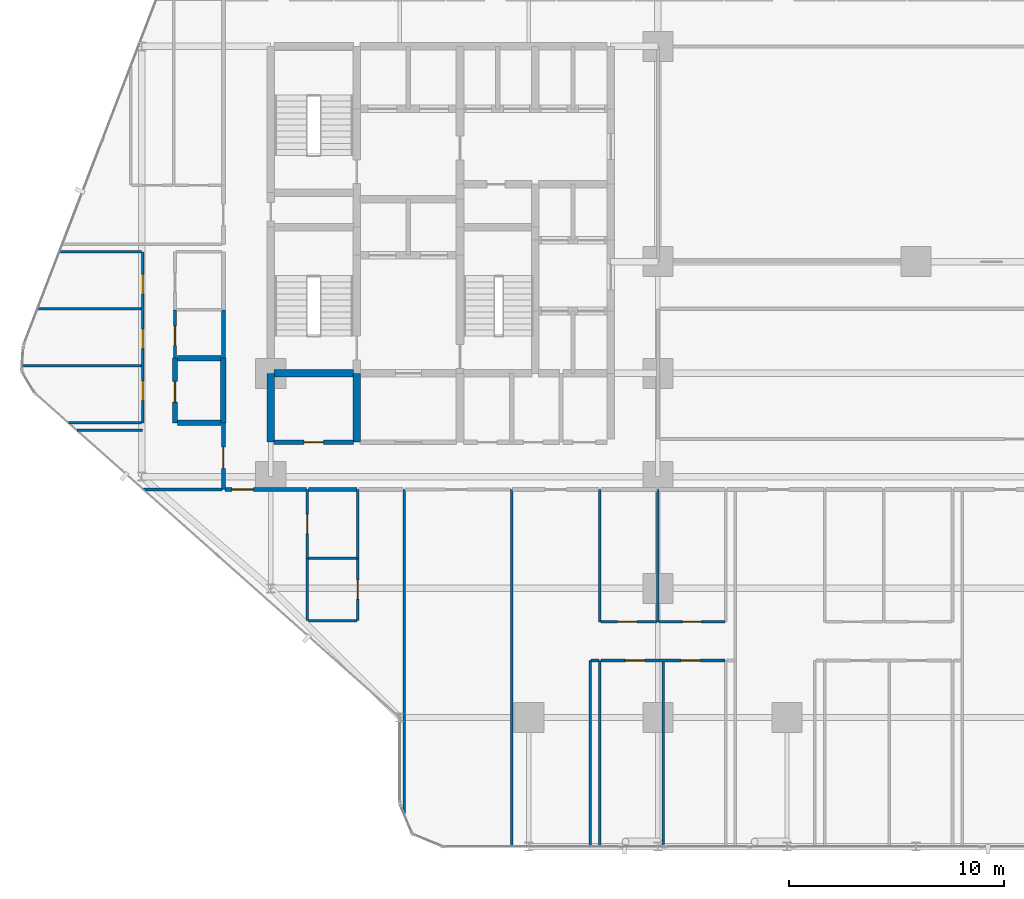
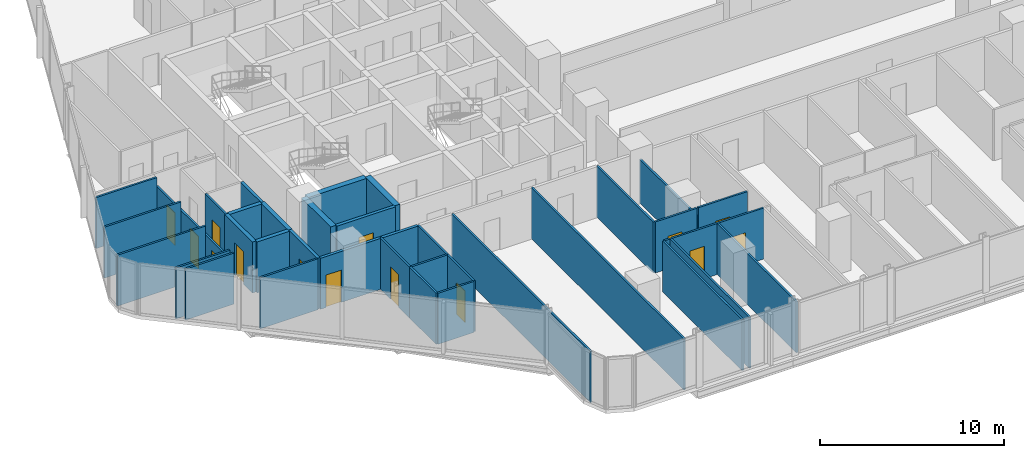
# One storey, part 26 of 34: 37 walls, 14 doors, 14 openings.
"""IFC4 building model written with IfcOpenShell, lengths in metres."""

from ifc_helpers import new_model, si_unit, direction, frame, frame_2d, origin, place, context, subcontext, project, spatial, rectangle, extrude, material, layer, layer_set, type_object, element, fill, save


model = new_model("IFC4")

# Units and contexts
model_context = context("Model", 3, precision=1e-05, world=origin(), true_north=direction((0.0, 1.0)))
body_context = subcontext(model_context, "Body", "Model", "MODEL_VIEW")
ifc_project = project(units=[si_unit("LENGTHUNIT", "METRE"), si_unit("AREAUNIT", "SQUARE_METRE"), si_unit("VOLUMEUNIT", "CUBIC_METRE"), si_unit("PLANEANGLEUNIT", "RADIAN"), si_unit("MASSUNIT", "GRAM", prefix="KILO")], contexts=[model_context])

# Site, building, storey
site_placement = place(None, origin())
site = spatial("IfcSite", under=ifc_project, at=site_placement, CompositionType="ELEMENT")
building_placement = place(site_placement, origin())
building = spatial("IfcBuilding", under=site, at=building_placement, Name="Keshet Zoharim Tower", CompositionType="ELEMENT")
storey_placement = place(building_placement, frame((0.0, 0.0, 38.800048828125)))
storey = spatial("IfcBuildingStorey", under=building, at=storey_placement, Name="L08", CompositionType="ELEMENT", Elevation=38.800048828125)

# Walls
ifc_material_1 = material(Name="Concrete C60/75", Category="concrete")
ifc_layer_1 = layer(ifc_material_1, 0.35009765625)
ifc_layer_set_1 = layer_set([ifc_layer_1], Name="Concrete C60/75")
wall_type_1 = type_object("IfcWallType", Name="WL-CORE-350", PredefinedType="SHEAR", material=ifc_layer_set_1)
for number, where, z_axis, x_axis, name in (
    (1, (15.0, 19.5, 0.0), (0.0, 0.0, 1.0), (0.0, 1.0, 0.0), "L08 Core Shear Wall 013"),
    (2, (19.0, 19.5, 0.0), (0.0, 0.0, 1.0), (0.0, 1.0, 0.0), "L08 Core Shear Wall 021"),
):
    element("IfcWall", number, at=place(storey_placement, frame(where, z_axis=z_axis, x_axis=x_axis)), inside=storey, type_object=wall_type_1, Name=name, PredefinedType="SHEAR", context=body_context, shape_type="SweptSolid", body=[
        extrude(rectangle(XDim=3.199951171875, YDim=0.35009765625, at=frame_2d((1.60009765625, 0.0))), origin(), (0.0, 0.0, 1.0), 3.385009765625),
    ])
wall_1_placement = place(storey_placement, frame((15.159912109375, 22.699951171875, 0.0), z_axis=(0.0, 0.0, 1.0), x_axis=(1.0, 0.0, 0.0)))
element("IfcWall", 3, at=wall_1_placement, inside=storey, type_object=wall_type_1, Name="L08 Core Shear Wall 167", PredefinedType="SHEAR", context=body_context, shape_type="SweptSolid", body=[
    extrude(rectangle(XDim=3.68017578125, YDim=0.35009765625, at=frame_2d((1.840087890625, 0.0))), origin(), (0.0, 0.0, 1.0), 3.385009765625),
])

# Wall, opening, door
ifc_material_2 = material(Name="Gypsum Plasterboard", Category="gypsum")
ifc_layer_2 = layer(ifc_material_2, 0.179931640625)
ifc_layer_set_2 = layer_set([ifc_layer_2], Name="Gypsum Plasterboard")
wall_type_2 = type_object("IfcWallType", Name="WL-CORR-180", PredefinedType="STANDARD", material=ifc_layer_set_2)
wall_2_placement = place(storey_placement, frame((12.800048828125, 17.300048828125, 0.0), z_axis=(0.0, 0.0, 1.0), x_axis=(0.0, 1.0, 0.0)))
wall_2 = element("IfcWall", 4, at=wall_2_placement, inside=storey, type_object=wall_type_2, Name="L08 Interior Wall 007", PredefinedType="STANDARD", context=body_context, shape_type="SweptSolid", body=[
    extrude(rectangle(XDim=3.099853515625, YDim=0.179931640625, at=frame_2d((1.5498046875, 0.0))), origin(), (0.0, 0.0, 1.0), 3.385009765625),
])
opening_1_placement = place(wall_2_placement, frame((0.97802734375, 0.0, 0.0)))
opening_1 = element("IfcOpeningElement", 5, at=opening_1_placement, cuts=wall_2, Name="Opening D-F310", PredefinedType="OPENING", context=body_context, shape_type="SweptSolid", body=[
    extrude(rectangle(XDim=1.0, YDim=2.14990234375, at=frame_2d((0.5, 1.074951171875))), frame((0.0, 0.10009765625, 0.0), z_axis=(0.0, -1.0, 0.0), x_axis=(1.0, 0.0, 0.0)), (0.0, 0.0, 1.0), 0.199951171875),
])
ifc_material_3 = material(Name="Hardwood Timber", Category="wood")
door_type_1 = type_object("IfcDoorType", Name="DR-FD30-100", OperationType="NOTDEFINED", PredefinedType="DOOR", material=ifc_material_3)
door_1_placement = place(opening_1_placement, origin())
door_1 = element("IfcDoor", 6, at=door_1_placement, inside=storey, type_object=door_type_1, Name="Apartment 0810 Entrance Door", OperationType="SINGLE_SWING_RIGHT", OverallHeight=2.14990234375, OverallWidth=1.0, PredefinedType="DOOR", context=body_context, shape_type="SweptSolid", body=[
    extrude(rectangle(XDim=1.0, YDim=2.14990234375, at=frame_2d((0.5, 1.074951171875))), frame((0.0, 0.02490234375, 0.0), z_axis=(0.0, -1.0, 0.0), x_axis=(1.0, 0.0, 0.0)), (0.0, 0.0, 1.0), 0.050048828125),
])
fill(opening_1, door_1)

# Wall
wall_3_placement = place(storey_placement, frame((12.800048828125, 23.4208984375, 0.0), z_axis=(0.0, 0.0, 1.0), x_axis=(0.0, 1.0, 0.0)))
element("IfcWall", 7, at=wall_3_placement, inside=storey, type_object=wall_type_2, Name="L08 Interior Wall 009", PredefinedType="STANDARD", context=body_context, shape_type="SweptSolid", body=[
    extrude(rectangle(XDim=2.22607421875, YDim=0.179931640625, at=frame_2d((1.113037109375, 0.0))), origin(), (0.0, 0.0, 1.0), 3.385009765625),
])

# Wall, opening, door
wall_4_placement = place(storey_placement, frame((12.875, 17.300048828125, 0.0), z_axis=(0.0, 0.0, 1.0), x_axis=(1.0, 0.0, 0.0)))
wall_4 = element("IfcWall", 8, at=wall_4_placement, inside=storey, type_object=wall_type_2, Name="L08 Interior Wall 141", PredefinedType="STANDARD", context=body_context, shape_type="SweptSolid", body=[
    extrude(rectangle(XDim=3.780029296875, YDim=0.179931640625, at=frame_2d((1.89013671875, 0.0))), origin(), (0.0, 0.0, 1.0), 3.385009765625),
])
opening_2_placement = place(wall_4_placement, frame((0.31689453125, 0.0, 0.0)))
opening_2 = element("IfcOpeningElement", 9, at=opening_2_placement, cuts=wall_4, Name="Opening D-F310", PredefinedType="OPENING", context=body_context, shape_type="SweptSolid", body=[
    extrude(rectangle(XDim=1.0, YDim=2.14990234375, at=frame_2d((0.5, 1.074951171875))), frame((0.0, 0.10009765625, 0.0), z_axis=(0.0, -1.0, 0.0), x_axis=(1.0, 0.0, 0.0)), (0.0, 0.0, 1.0), 0.199951171875),
])
door_2_placement = place(opening_2_placement, origin())
door_2 = element("IfcDoor", 10, at=door_2_placement, inside=storey, type_object=door_type_1, Name="Apartment 0801 Entrance Door", OperationType="SINGLE_SWING_LEFT", OverallHeight=2.14990234375, OverallWidth=1.0, PredefinedType="DOOR", context=body_context, shape_type="SweptSolid", body=[
    extrude(rectangle(XDim=1.0, YDim=2.14990234375, at=frame_2d((0.5, 1.074951171875))), frame((0.0, 0.02490234375, 0.0), z_axis=(0.0, -1.0, 0.0), x_axis=(1.0, 0.0, 0.0)), (0.0, 0.0, 1.0), 0.050048828125),
])
fill(opening_2, door_2)

# Wall
wall_5_placement = place(storey_placement, frame((16.7451171875, 17.300048828125, 0.0), z_axis=(0.0, 0.0, 1.0), x_axis=(1.0, 0.0, 0.0)))
element("IfcWall", 11, at=wall_5_placement, inside=storey, type_object=wall_type_2, Name="L08 Interior Wall 142", PredefinedType="STANDARD", context=body_context, shape_type="SweptSolid", body=[
    extrude(rectangle(XDim=2.259765625, YDim=0.179931640625, at=frame_2d((1.1298828125, 0.0))), origin(), (0.0, 0.0, 1.0), 3.385009765625),
])

# Wall, opening, door
ifc_material_4 = material(Name="Concrete C50/60", Category="concrete")
ifc_layer_3 = layer(ifc_material_4, 0.199951171875)
ifc_layer_set_3 = layer_set([ifc_layer_3], Name="Concrete C50/60")
wall_type_3 = type_object("IfcWallType", Name="WL-FIRE-200", PredefinedType="STANDARD", material=ifc_layer_set_3)
wall_6_placement = place(storey_placement, frame((15.159912109375, 19.5, 0.0), z_axis=(0.0, 0.0, 1.0), x_axis=(1.0, 0.0, 0.0)))
wall_6 = element("IfcWall", 12, at=wall_6_placement, inside=storey, type_object=wall_type_3, Name="L08 Interior Wall 159", PredefinedType="STANDARD", context=body_context, shape_type="SweptSolid", body=[
    extrude(rectangle(XDim=3.68017578125, YDim=0.199951171875, at=frame_2d((1.840087890625, 0.0))), origin(), (0.0, 0.0, 1.0), 3.385009765625),
])
opening_3_placement = place(wall_6_placement, frame((1.389892578125, 0.0, 0.0)))
opening_3 = element("IfcOpeningElement", 13, at=opening_3_placement, cuts=wall_6, Name="Opening D-F690", PredefinedType="OPENING", context=body_context, shape_type="SweptSolid", body=[
    extrude(rectangle(XDim=0.89990234375, YDim=2.14990234375, at=frame_2d((0.449951171875, 1.074951171875))), frame((0.0, 0.10986328125, 0.0), z_axis=(0.0, -1.0, 0.0), x_axis=(1.0, 0.0, 0.0)), (0.0, 0.0, 1.0), 0.219970703125),
])
door_type_2 = type_object("IfcDoorType", Name="DR-FD60-090", OperationType="NOTDEFINED", PredefinedType="DOOR", material=ifc_material_3)
door_3_placement = place(opening_3_placement, origin())
door_3 = element("IfcDoor", 14, at=door_3_placement, inside=storey, type_object=door_type_2, Name="L08 Pram Store Door", OperationType="SINGLE_SWING_LEFT", OverallHeight=2.14990234375, OverallWidth=0.89990234375, PredefinedType="DOOR", context=body_context, shape_type="SweptSolid", body=[
    extrude(rectangle(XDim=0.89990234375, YDim=2.14990234375, at=frame_2d((0.449951171875, 1.074951171875))), frame((0.0, 0.02490234375, 0.0), z_axis=(0.0, -1.0, 0.0), x_axis=(1.0, 0.0, 0.0)), (0.0, 0.0, 1.0), 0.050048828125),
])
fill(opening_3, door_3)

ifc_layer_4 = layer(ifc_material_4, 0.25)
ifc_layer_set_4 = layer_set([ifc_layer_4], Name="Concrete C50/60")
wall_type_4 = type_object("IfcWallType", Name="WL-MAMAD-250", PredefinedType="STANDARD", material=ifc_layer_set_4)
wall_7_placement = place(storey_placement, frame((10.550048828125, 20.39990234375, 0.0), z_axis=(0.0, 0.0, 1.0), x_axis=(0.0, 1.0, 0.0)))
wall_7 = element("IfcWall", 15, at=wall_7_placement, inside=storey, type_object=wall_type_4, Name="L08 Interior Wall 004", PredefinedType="STANDARD", context=body_context, shape_type="SweptSolid", body=[
    extrude(rectangle(XDim=3.02099609375, YDim=0.25, at=frame_2d((1.510498046875, 0.0))), origin(), (0.0, 0.0, 1.0), 3.385009765625),
])
opening_4_placement = place(wall_7_placement, frame((0.964111328125, 0.0, 0.0)))
opening_4 = element("IfcOpeningElement", 16, at=opening_4_placement, cuts=wall_7, Name="Opening D-F695", PredefinedType="OPENING", context=body_context, shape_type="SweptSolid", body=[
    extrude(rectangle(XDim=0.949951171875, YDim=2.14990234375, at=frame_2d((0.47509765625, 1.074951171875))), frame((0.0, 0.135009765625, 0.0), z_axis=(0.0, -1.0, 0.0), x_axis=(1.0, 0.0, 0.0)), (0.0, 0.0, 1.0), 0.27001953125),
])
door_type_3 = type_object("IfcDoorType", Name="DR-FD60-095", OperationType="NOTDEFINED", PredefinedType="DOOR", material=ifc_material_3)
door_4_placement = place(opening_4_placement, origin())
door_4 = element("IfcDoor", 17, at=door_4_placement, inside=storey, type_object=door_type_3, Name="Apartment 0810 Study and Shelter Room Door", OperationType="SINGLE_SWING_LEFT", OverallHeight=2.14990234375, OverallWidth=0.949951171875, PredefinedType="DOOR", context=body_context, shape_type="SweptSolid", body=[
    extrude(rectangle(XDim=0.949951171875, YDim=2.14990234375, at=frame_2d((0.47509765625, 1.074951171875))), frame((0.0, 0.02490234375, 0.0), z_axis=(0.0, -1.0, 0.0), x_axis=(1.0, 0.0, 0.0)), (0.0, 0.0, 1.0), 0.050048828125),
])
fill(opening_4, door_4)

# Walls
wall_8_placement = place(storey_placement, frame((12.800048828125, 20.39990234375, 0.0), z_axis=(0.0, 0.0, 1.0), x_axis=(0.0, 1.0, 0.0)))
element("IfcWall", 18, at=wall_8_placement, inside=storey, type_object=wall_type_4, Name="L08 Interior Wall 008", PredefinedType="STANDARD", context=body_context, shape_type="SweptSolid", body=[
    extrude(rectangle(XDim=3.02099609375, YDim=0.25, at=frame_2d((1.510498046875, 0.0))), origin(), (0.0, 0.0, 1.0), 3.385009765625),
])
for number, where, z_axis, x_axis, name in (
    (19, (10.659912109375, 20.39990234375, 0.0), (0.0, 0.0, 1.0), (1.0, 0.0, 0.0), "L08 Interior Wall 166"),
    (20, (10.659912109375, 23.39990234375, 0.0), (0.0, 0.0, 1.0), (1.0, 0.0, 0.0), "L08 Interior Wall 173"),
):
    element("IfcWall", number, at=place(storey_placement, frame(where, z_axis=z_axis, x_axis=x_axis)), inside=storey, type_object=wall_type_4, Name=name, PredefinedType="STANDARD", context=body_context, shape_type="SweptSolid", body=[
        extrude(rectangle(XDim=2.030029296875, YDim=0.25, at=frame_2d((1.01513671875, 0.0))), origin(), (0.0, 0.0, 1.0), 3.385009765625),
    ])

# Wall, openings, doors
ifc_layer_5 = layer(ifc_material_2, 0.1201171875)
ifc_layer_set_5 = layer_set([ifc_layer_5], Name="Gypsum Plasterboard")
wall_type_5 = type_object("IfcWallType", Name="WL-PART-120", PredefinedType="PARTITIONING", material=ifc_layer_set_5)
wall_9_placement = place(storey_placement, frame((9.050048828125, 20.39990234375, 0.0), z_axis=(0.0, 0.0, 1.0), x_axis=(0.0, 1.0, 0.0)))
wall_9 = element("IfcWall", 21, at=wall_9_placement, inside=storey, type_object=wall_type_5, Name="L08 Interior Wall 002", PredefinedType="PARTITIONING", context=body_context, shape_type="SweptSolid", body=[
    extrude(rectangle(XDim=7.9501953125, YDim=0.1201171875, at=frame_2d((3.97509765625, 0.0))), origin(), (0.0, 0.0, 1.0), 2.784912109375),
])
opening_5_placement = place(wall_9_placement, frame((1.050048828125, 0.0, 0.0)))
opening_5 = element("IfcOpeningElement", 22, at=opening_5_placement, cuts=wall_9, Name="Opening D-IN90", PredefinedType="OPENING", context=body_context, shape_type="SweptSolid", body=[
    extrude(rectangle(XDim=0.89990234375, YDim=2.14990234375, at=frame_2d((0.449951171875, 1.074951171875))), frame((0.0, 0.070068359375, 0.0), z_axis=(0.0, -1.0, 0.0), x_axis=(1.0, 0.0, 0.0)), (0.0, 0.0, 1.0), 0.14013671875),
])
opening_6_placement = place(wall_9_placement, frame((3.455078125, 0.0, 0.0)))
opening_6 = element("IfcOpeningElement", 23, at=opening_6_placement, cuts=wall_9, Name="Opening D-IN90", PredefinedType="OPENING", context=body_context, shape_type="SweptSolid", body=[
    extrude(rectangle(XDim=0.89990234375, YDim=2.14990234375, at=frame_2d((0.449951171875, 1.074951171875))), frame((0.0, 0.070068359375, 0.0), z_axis=(0.0, -1.0, 0.0), x_axis=(1.0, 0.0, 0.0)), (0.0, 0.0, 1.0), 0.14013671875),
])
opening_7_placement = place(wall_9_placement, frame((6.0, 0.0, 0.0)))
opening_7 = element("IfcOpeningElement", 24, at=opening_7_placement, cuts=wall_9, Name="Opening D-IN90", PredefinedType="OPENING", context=body_context, shape_type="SweptSolid", body=[
    extrude(rectangle(XDim=0.89990234375, YDim=2.14990234375, at=frame_2d((0.449951171875, 1.074951171875))), frame((0.0, 0.070068359375, 0.0), z_axis=(0.0, -1.0, 0.0), x_axis=(1.0, 0.0, 0.0)), (0.0, 0.0, 1.0), 0.14013671875),
])
door_type_4 = type_object("IfcDoorType", Name="DR-INT-090", OperationType="NOTDEFINED", PredefinedType="DOOR", material=ifc_material_3)
door_5_placement = place(opening_5_placement, origin())
door_5 = element("IfcDoor", 25, at=door_5_placement, inside=storey, type_object=door_type_4, Name="Apartment 0810 Bedroom 1 Door", OperationType="SINGLE_SWING_RIGHT", OverallHeight=2.14990234375, OverallWidth=0.89990234375, PredefinedType="DOOR", context=body_context, shape_type="SweptSolid", body=[
    extrude(rectangle(XDim=0.89990234375, YDim=2.14990234375, at=frame_2d((0.449951171875, 1.074951171875))), frame((0.0, 0.02490234375, 0.0), z_axis=(0.0, -1.0, 0.0), x_axis=(1.0, 0.0, 0.0)), (0.0, 0.0, 1.0), 0.050048828125),
])
fill(opening_5, door_5)
door_6_placement = place(opening_6_placement, origin())
door_6 = element("IfcDoor", 26, at=door_6_placement, inside=storey, type_object=door_type_4, Name="Apartment 0810 Bedroom 2 Door", OperationType="SINGLE_SWING_LEFT", OverallHeight=2.14990234375, OverallWidth=0.89990234375, PredefinedType="DOOR", context=body_context, shape_type="SweptSolid", body=[
    extrude(rectangle(XDim=0.89990234375, YDim=2.14990234375, at=frame_2d((0.449951171875, 1.074951171875))), frame((0.0, 0.02490234375, 0.0), z_axis=(0.0, -1.0, 0.0), x_axis=(1.0, 0.0, 0.0)), (0.0, 0.0, 1.0), 0.050048828125),
])
fill(opening_6, door_6)
door_7_placement = place(opening_7_placement, origin())
door_7 = element("IfcDoor", 27, at=door_7_placement, inside=storey, type_object=door_type_4, Name="Apartment 0810 Bedroom 3 Door", OperationType="SINGLE_SWING_RIGHT", OverallHeight=2.14990234375, OverallWidth=0.89990234375, PredefinedType="DOOR", context=body_context, shape_type="SweptSolid", body=[
    extrude(rectangle(XDim=0.89990234375, YDim=2.14990234375, at=frame_2d((0.449951171875, 1.074951171875))), frame((0.0, 0.02490234375, 0.0), z_axis=(0.0, -1.0, 0.0), x_axis=(1.0, 0.0, 0.0)), (0.0, 0.0, 1.0), 0.050048828125),
])
fill(opening_7, door_7)

# Wall, opening, door
wall_10_placement = place(storey_placement, frame((16.699951171875, 14.10009765625, 0.0), z_axis=(0.0, 0.0, 1.0), x_axis=(0.0, 1.0, 0.0)))
wall_10 = element("IfcWall", 28, at=wall_10_placement, inside=storey, type_object=wall_type_5, Name="L08 Interior Wall 018", PredefinedType="PARTITIONING", context=body_context, shape_type="SweptSolid", body=[
    extrude(rectangle(XDim=3.199951171875, YDim=0.1201171875, at=frame_2d((1.60009765625, 0.0))), origin(), (0.0, 0.0, 1.0), 3.385009765625),
])
opening_8_placement = place(wall_10_placement, frame((1.14990234375, 0.0, 0.0)))
opening_8 = element("IfcOpeningElement", 29, at=opening_8_placement, cuts=wall_10, Name="Opening D-IN90", PredefinedType="OPENING", context=body_context, shape_type="SweptSolid", body=[
    extrude(rectangle(XDim=0.89990234375, YDim=2.14990234375, at=frame_2d((0.449951171875, 1.074951171875))), frame((0.0, 0.070068359375, 0.0), z_axis=(0.0, -1.0, 0.0), x_axis=(1.0, 0.0, 0.0)), (0.0, 0.0, 1.0), 0.14013671875),
])
door_8_placement = place(opening_8_placement, origin())
door_8 = element("IfcDoor", 30, at=door_8_placement, inside=storey, type_object=door_type_4, Name="Apartment 0801 Kitchenette Door", OperationType="SINGLE_SWING_LEFT", OverallHeight=2.14990234375, OverallWidth=0.89990234375, PredefinedType="DOOR", context=body_context, shape_type="SweptSolid", body=[
    extrude(rectangle(XDim=0.89990234375, YDim=2.14990234375, at=frame_2d((0.449951171875, 1.074951171875))), frame((0.0, 0.02490234375, 0.0), z_axis=(0.0, -1.0, 0.0), x_axis=(1.0, 0.0, 0.0)), (0.0, 0.0, 1.0), 0.050048828125),
])
fill(opening_8, door_8)

# Walls
wall_11_placement = place(storey_placement, frame((19.050048828125, 14.10009765625, 0.0), z_axis=(0.0, 0.0, 1.0), x_axis=(0.0, 1.0, 0.0)))
element("IfcWall", 31, at=wall_11_placement, inside=storey, type_object=wall_type_5, Name="L08 Interior Wall 027", PredefinedType="PARTITIONING", context=body_context, shape_type="SweptSolid", body=[
    extrude(rectangle(XDim=3.199951171875, YDim=0.1201171875, at=frame_2d((1.60009765625, 0.0))), origin(), (0.0, 0.0, 1.0), 3.385009765625),
])
wall_12_placement = place(storey_placement, frame((21.199951171875, 2.22705078125, 0.0), z_axis=(0.0, 0.0, 1.0), x_axis=(0.0, 1.0, 0.0)))
element("IfcWall", 32, at=wall_12_placement, inside=storey, type_object=wall_type_5, Name="L08 Interior Wall 030", PredefinedType="PARTITIONING", context=body_context, shape_type="SweptSolid", body=[
    extrude(rectangle(XDim=15.072998046875, YDim=0.1201171875, at=frame_2d((7.53662109375, 0.0))), origin(), (0.0, 0.0, 1.0), 3.385009765625),
])
wall_13_placement = place(storey_placement, frame((26.199951171875, 0.7099609375, 0.0), z_axis=(0.0, 0.0, 1.0), x_axis=(0.0, 1.0, 0.0)))
element("IfcWall", 33, at=wall_13_placement, inside=storey, type_object=wall_type_5, Name="L08 Interior Wall 044", PredefinedType="PARTITIONING", context=body_context, shape_type="SweptSolid", body=[
    extrude(rectangle(XDim=16.590087890625, YDim=0.1201171875, at=frame_2d((8.294921875, 0.0))), origin(), (0.0, 0.0, 1.0), 3.385009765625),
])
for number, where, z_axis, x_axis, name in (
    (34, (29.85009765625, 0.7099609375, 0.0), (0.0, 0.0, 1.0), (0.0, 1.0, 0.0), "L08 Interior Wall 058"),
    (35, (30.300048828125, 0.7099609375, 0.0), (0.0, 0.0, 1.0), (0.0, 1.0, 0.0), "L08 Interior Wall 059"),
):
    element("IfcWall", number, at=place(storey_placement, frame(where, z_axis=z_axis, x_axis=x_axis)), inside=storey, type_object=wall_type_5, Name=name, PredefinedType="PARTITIONING", context=body_context, shape_type="SweptSolid", body=[
        extrude(rectangle(XDim=8.64013671875, YDim=0.1201171875, at=frame_2d((4.320068359375, 0.0))), origin(), (0.0, 0.0, 1.0), 3.385009765625),
    ])
wall_14_placement = place(storey_placement, frame((30.300048828125, 11.14990234375, 0.0), z_axis=(0.0, 0.0, 1.0), x_axis=(0.0, 1.0, 0.0)))
element("IfcWall", 36, at=wall_14_placement, inside=storey, type_object=wall_type_5, Name="L08 Interior Wall 060", PredefinedType="PARTITIONING", context=body_context, shape_type="SweptSolid", body=[
    extrude(rectangle(XDim=6.150146484375, YDim=0.1201171875, at=frame_2d((3.0751953125, 0.0))), origin(), (0.0, 0.0, 1.0), 3.385009765625),
])
wall_15_placement = place(storey_placement, frame((33.25, 0.7099609375, 0.0), z_axis=(0.0, 0.0, 1.0), x_axis=(0.0, 1.0, 0.0)))
element("IfcWall", 37, at=wall_15_placement, inside=storey, type_object=wall_type_5, Name="L08 Interior Wall 072", PredefinedType="PARTITIONING", context=body_context, shape_type="SweptSolid", body=[
    extrude(rectangle(XDim=8.64013671875, YDim=0.1201171875, at=frame_2d((4.320068359375, 0.0))), origin(), (0.0, 0.0, 1.0), 3.385009765625),
])
wall_16_placement = place(storey_placement, frame((29.89501953125, 9.35009765625, 0.0), z_axis=(0.0, 0.0, 1.0), x_axis=(1.0, 0.0, 0.0)))
element("IfcWall", 38, at=wall_16_placement, inside=storey, type_object=wall_type_5, Name="L08 Interior Wall 119", PredefinedType="PARTITIONING", context=body_context, shape_type="SweptSolid", body=[
    extrude(rectangle(XDim=0.35986328125, YDim=0.1201171875, at=frame_2d((0.179931640625, 0.0))), origin(), (0.0, 0.0, 1.0), 3.385009765625),
])

# Wall, openings, doors
wall_17_placement = place(storey_placement, frame((30.344970703125, 9.35009765625, 0.0), z_axis=(0.0, 0.0, 1.0), x_axis=(1.0, 0.0, 0.0)))
wall_17 = element("IfcWall", 39, at=wall_17_placement, inside=storey, type_object=wall_type_5, Name="L08 Interior Wall 120", PredefinedType="PARTITIONING", context=body_context, shape_type="SweptSolid", body=[
    extrude(rectangle(XDim=5.780029296875, YDim=0.1201171875, at=frame_2d((2.89013671875, 0.0))), origin(), (0.0, 0.0, 1.0), 3.385009765625),
])
opening_9_placement = place(wall_17_placement, frame((1.14697265625, 0.0, 0.0)))
opening_9 = element("IfcOpeningElement", 40, at=opening_9_placement, cuts=wall_17, Name="Opening D-IN90", PredefinedType="OPENING", context=body_context, shape_type="SweptSolid", body=[
    extrude(rectangle(XDim=0.89990234375, YDim=2.14990234375, at=frame_2d((0.449951171875, 1.074951171875))), frame((0.0, 0.070068359375, 0.0), z_axis=(0.0, -1.0, 0.0), x_axis=(1.0, 0.0, 0.0)), (0.0, 0.0, 1.0), 0.14013671875),
])
opening_10_placement = place(wall_17_placement, frame((3.73291015625, 0.0, 0.0)))
opening_10 = element("IfcOpeningElement", 41, at=opening_10_placement, cuts=wall_17, Name="Opening D-IN90", PredefinedType="OPENING", context=body_context, shape_type="SweptSolid", body=[
    extrude(rectangle(XDim=0.89990234375, YDim=2.14990234375, at=frame_2d((0.449951171875, 1.074951171875))), frame((0.0, 0.070068359375, 0.0), z_axis=(0.0, -1.0, 0.0), x_axis=(1.0, 0.0, 0.0)), (0.0, 0.0, 1.0), 0.14013671875),
])
door_9_placement = place(opening_9_placement, origin())
door_9 = element("IfcDoor", 42, at=door_9_placement, inside=storey, type_object=door_type_4, Name="Apartment 0802 Bedroom 1 Door", OperationType="SINGLE_SWING_LEFT", OverallHeight=2.14990234375, OverallWidth=0.89990234375, PredefinedType="DOOR", context=body_context, shape_type="SweptSolid", body=[
    extrude(rectangle(XDim=0.89990234375, YDim=2.14990234375, at=frame_2d((0.449951171875, 1.074951171875))), frame((0.0, 0.02490234375, 0.0), z_axis=(0.0, -1.0, 0.0), x_axis=(1.0, 0.0, 0.0)), (0.0, 0.0, 1.0), 0.050048828125),
])
fill(opening_9, door_9)
door_10_placement = place(opening_10_placement, origin())
door_10 = element("IfcDoor", 43, at=door_10_placement, inside=storey, type_object=door_type_4, Name="Apartment 0802 Bedroom 2 Door", OperationType="SINGLE_SWING_RIGHT", OverallHeight=2.14990234375, OverallWidth=0.89990234375, PredefinedType="DOOR", context=body_context, shape_type="SweptSolid", body=[
    extrude(rectangle(XDim=0.89990234375, YDim=2.14990234375, at=frame_2d((0.449951171875, 1.074951171875))), frame((0.0, 0.02490234375, 0.0), z_axis=(0.0, -1.0, 0.0), x_axis=(1.0, 0.0, 0.0)), (0.0, 0.0, 1.0), 0.050048828125),
])
fill(opening_10, door_10)

# Wall, opening, door
wall_18_placement = place(storey_placement, frame((30.344970703125, 11.14990234375, 0.0), z_axis=(0.0, 0.0, 1.0), x_axis=(1.0, 0.0, 0.0)))
wall_18 = element("IfcWall", 44, at=wall_18_placement, inside=storey, type_object=wall_type_5, Name="L08 Interior Wall 130", PredefinedType="PARTITIONING", context=body_context, shape_type="SweptSolid", body=[
    extrude(rectangle(XDim=2.610107421875, YDim=0.1201171875, at=frame_2d((1.30517578125, 0.0))), origin(), (0.0, 0.0, 1.0), 3.385009765625),
])
opening_11_placement = place(wall_18_placement, frame((0.782958984375, 0.0, 0.0)))
opening_11 = element("IfcOpeningElement", 45, at=opening_11_placement, cuts=wall_18, Name="Opening D-IN90", PredefinedType="OPENING", context=body_context, shape_type="SweptSolid", body=[
    extrude(rectangle(XDim=0.89990234375, YDim=2.14990234375, at=frame_2d((0.449951171875, 1.074951171875))), frame((0.0, 0.070068359375, 0.0), z_axis=(0.0, -1.0, 0.0), x_axis=(1.0, 0.0, 0.0)), (0.0, 0.0, 1.0), 0.14013671875),
])
door_11_placement = place(opening_11_placement, origin())
door_11 = element("IfcDoor", 46, at=door_11_placement, inside=storey, type_object=door_type_4, Name="Apartment 0802 Kitchen Door", OperationType="SINGLE_SWING_LEFT", OverallHeight=2.14990234375, OverallWidth=0.89990234375, PredefinedType="DOOR", context=body_context, shape_type="SweptSolid", body=[
    extrude(rectangle(XDim=0.89990234375, YDim=2.14990234375, at=frame_2d((0.449951171875, 1.074951171875))), frame((0.0, 0.02490234375, 0.0), z_axis=(0.0, -1.0, 0.0), x_axis=(1.0, 0.0, 0.0)), (0.0, 0.0, 1.0), 0.050048828125),
])
fill(opening_11, door_11)

# Walls
wall_19_placement = place(storey_placement, frame((9.0849609375, 17.300048828125, 0.0), z_axis=(0.0, 0.0, 1.0), x_axis=(1.0, 0.0, 0.0)))
element("IfcWall", 47, at=wall_19_placement, inside=storey, type_object=wall_type_5, Name="L08 Interior Wall 140", PredefinedType="PARTITIONING", context=body_context, shape_type="SweptSolid", body=[
    extrude(rectangle(XDim=3.64013671875, YDim=0.1201171875, at=frame_2d((1.820068359375, 0.0))), origin(), (0.0, 0.0, 1.0), 3.385009765625),
])
wall_20_placement = place(storey_placement, frame((5.990966796875, 20.050048828125, 0.0), z_axis=(0.0, 0.0, 1.0), x_axis=(1.0, 0.0, 0.0)))
element("IfcWall", 48, at=wall_20_placement, inside=storey, type_object=wall_type_5, Name="L08 Interior Wall 164", PredefinedType="PARTITIONING", context=body_context, shape_type="SweptSolid", body=[
    extrude(rectangle(XDim=3.0390625, YDim=0.1201171875, at=frame_2d((1.51953125, 0.0))), origin(), (0.0, 0.0, 1.0), 3.385009765625),
])
wall_21_placement = place(storey_placement, frame((5.597900390625, 20.39990234375, 0.0), z_axis=(0.0, 0.0, 1.0), x_axis=(1.0, 0.0, 0.0)))
element("IfcWall", 49, at=wall_21_placement, inside=storey, type_object=wall_type_5, Name="L08 Interior Wall 165", PredefinedType="PARTITIONING", context=body_context, shape_type="SweptSolid", body=[
    extrude(rectangle(XDim=3.38720703125, YDim=0.1201171875, at=frame_2d((1.693603515625, 0.0))), origin(), (0.0, 0.0, 1.0), 3.385009765625),
])
wall_22_placement = place(storey_placement, frame((3.446044921875, 23.050048828125, 0.0), z_axis=(0.0, 0.0, 1.0), x_axis=(1.0, 0.0, 0.0)))
element("IfcWall", 50, at=wall_22_placement, inside=storey, type_object=wall_type_5, Name="L08 Interior Wall 172", PredefinedType="PARTITIONING", context=body_context, shape_type="SweptSolid", body=[
    extrude(rectangle(XDim=5.5390625, YDim=0.1201171875, at=frame_2d((2.76953125, 0.0))), origin(), (0.0, 0.0, 1.0), 3.385009765625),
])
wall_23_placement = place(storey_placement, frame((4.1640625, 25.699951171875, 0.0), z_axis=(0.0, 0.0, 1.0), x_axis=(1.0, 0.0, 0.0)))
element("IfcWall", 51, at=wall_23_placement, inside=storey, type_object=wall_type_5, Name="L08 Interior Wall 176", PredefinedType="PARTITIONING", context=body_context, shape_type="SweptSolid", body=[
    extrude(rectangle(XDim=4.821044921875, YDim=0.1201171875, at=frame_2d((2.41064453125, 0.0))), origin(), (0.0, 0.0, 1.0), 3.385009765625),
])
wall_24_placement = place(storey_placement, frame((5.18310546875, 28.35009765625, 0.0), z_axis=(0.0, 0.0, 1.0), x_axis=(1.0, 0.0, 0.0)))
element("IfcWall", 52, at=wall_24_placement, inside=storey, type_object=wall_type_5, Name="L08 Interior Wall 180", PredefinedType="PARTITIONING", context=body_context, shape_type="SweptSolid", body=[
    extrude(rectangle(XDim=3.802001953125, YDim=0.1201171875, at=frame_2d((1.90087890625, 0.0))), origin(), (0.0, 0.0, 1.0), 3.385009765625),
])

# Wall, opening, door
ifc_layer_6 = layer(ifc_material_2, 0.1201171875)
ifc_layer_set_6 = layer_set([ifc_layer_6], Name="Gypsum Plasterboard")
wall_type_6 = type_object("IfcWallType", Name="WL-WET-120", PredefinedType="PARTITIONING", material=ifc_layer_set_6)
wall_25_placement = place(storey_placement, frame((10.550048828125, 23.4208984375, 0.0), z_axis=(0.0, 0.0, 1.0), x_axis=(0.0, 1.0, 0.0)))
wall_25 = element("IfcWall", 53, at=wall_25_placement, inside=storey, type_object=wall_type_6, Name="L08 Interior Wall 005", PredefinedType="PARTITIONING", context=body_context, shape_type="SweptSolid", body=[
    extrude(rectangle(XDim=2.22607421875, YDim=0.1201171875, at=frame_2d((1.113037109375, 0.0))), origin(), (0.0, 0.0, 1.0), 3.385009765625),
])
opening_12_placement = place(wall_25_placement, frame((0.583984375, 0.0, 0.0)))
opening_12 = element("IfcOpeningElement", 54, at=opening_12_placement, cuts=wall_25, Name="Opening D-WT90", PredefinedType="OPENING", context=body_context, shape_type="SweptSolid", body=[
    extrude(rectangle(XDim=0.89990234375, YDim=2.10009765625, at=frame_2d((0.449951171875, 1.050048828125))), frame((0.0, 0.070068359375, 0.0), z_axis=(0.0, -1.0, 0.0), x_axis=(1.0, 0.0, 0.0)), (0.0, 0.0, 1.0), 0.14013671875),
])
door_type_5 = type_object("IfcDoorType", Name="DR-WET-090", OperationType="NOTDEFINED", PredefinedType="DOOR", material=ifc_material_3)
door_12_placement = place(opening_12_placement, origin())
door_12 = element("IfcDoor", 55, at=door_12_placement, inside=storey, type_object=door_type_5, Name="Apartment 0810 Bathroom Door", OperationType="SINGLE_SWING_RIGHT", OverallHeight=2.10009765625, OverallWidth=0.89990234375, PredefinedType="DOOR", context=body_context, shape_type="SweptSolid", body=[
    extrude(rectangle(XDim=0.89990234375, YDim=2.10009765625, at=frame_2d((0.449951171875, 1.050048828125))), frame((0.0, 0.02490234375, 0.0), z_axis=(0.0, -1.0, 0.0), x_axis=(1.0, 0.0, 0.0)), (0.0, 0.0, 1.0), 0.050048828125),
])
fill(opening_12, door_12)

# Wall
wall_26_placement = place(storey_placement, frame((16.699951171875, 11.199951171875, 0.0), z_axis=(0.0, 0.0, 1.0), x_axis=(0.0, 1.0, 0.0)))
element("IfcWall", 56, at=wall_26_placement, inside=storey, type_object=wall_type_6, Name="L08 Interior Wall 017", PredefinedType="PARTITIONING", context=body_context, shape_type="SweptSolid", body=[
    extrude(rectangle(XDim=2.900146484375, YDim=0.1201171875, at=frame_2d((1.4501953125, 0.0))), origin(), (0.0, 0.0, 1.0), 3.385009765625),
])

# Wall, opening, door
wall_27_placement = place(storey_placement, frame((19.050048828125, 11.199951171875, 0.0), z_axis=(0.0, 0.0, 1.0), x_axis=(0.0, 1.0, 0.0)))
wall_27 = element("IfcWall", 57, at=wall_27_placement, inside=storey, type_object=wall_type_6, Name="L08 Interior Wall 026", PredefinedType="PARTITIONING", context=body_context, shape_type="SweptSolid", body=[
    extrude(rectangle(XDim=2.900146484375, YDim=0.1201171875, at=frame_2d((1.4501953125, 0.0))), origin(), (0.0, 0.0, 1.0), 3.385009765625),
])
opening_13_placement = place(wall_27_placement, frame((1.0, 0.0, 0.0)))
opening_13 = element("IfcOpeningElement", 58, at=opening_13_placement, cuts=wall_27, Name="Opening D-WT90", PredefinedType="OPENING", context=body_context, shape_type="SweptSolid", body=[
    extrude(rectangle(XDim=0.89990234375, YDim=2.10009765625, at=frame_2d((0.449951171875, 1.050048828125))), frame((0.0, 0.070068359375, 0.0), z_axis=(0.0, -1.0, 0.0), x_axis=(1.0, 0.0, 0.0)), (0.0, 0.0, 1.0), 0.14013671875),
])
door_13_placement = place(opening_13_placement, origin())
door_13 = element("IfcDoor", 59, at=door_13_placement, inside=storey, type_object=door_type_5, Name="Apartment 0801 Bathroom Door", OperationType="SINGLE_SWING_LEFT", OverallHeight=2.10009765625, OverallWidth=0.89990234375, PredefinedType="DOOR", context=body_context, shape_type="SweptSolid", body=[
    extrude(rectangle(XDim=0.89990234375, YDim=2.10009765625, at=frame_2d((0.449951171875, 1.050048828125))), frame((0.0, 0.02490234375, 0.0), z_axis=(0.0, -1.0, 0.0), x_axis=(1.0, 0.0, 0.0)), (0.0, 0.0, 1.0), 0.050048828125),
])
fill(opening_13, door_13)

# Wall
wall_28_placement = place(storey_placement, frame((33.0, 11.14990234375, 0.0), z_axis=(0.0, 0.0, 1.0), x_axis=(0.0, 1.0, 0.0)))
element("IfcWall", 60, at=wall_28_placement, inside=storey, type_object=wall_type_6, Name="L08 Interior Wall 069", PredefinedType="PARTITIONING", context=body_context, shape_type="SweptSolid", body=[
    extrude(rectangle(XDim=6.150146484375, YDim=0.1201171875, at=frame_2d((3.0751953125, 0.0))), origin(), (0.0, 0.0, 1.0), 2.885009765625),
])

# Wall, opening, door
wall_29_placement = place(storey_placement, frame((33.044921875, 11.14990234375, 0.0), z_axis=(0.0, 0.0, 1.0), x_axis=(1.0, 0.0, 0.0)))
wall_29 = element("IfcWall", 61, at=wall_29_placement, inside=storey, type_object=wall_type_6, Name="L08 Interior Wall 131", PredefinedType="PARTITIONING", context=body_context, shape_type="SweptSolid", body=[
    extrude(rectangle(XDim=3.080078125, YDim=0.1201171875, at=frame_2d((1.5400390625, 0.0))), origin(), (0.0, 0.0, 1.0), 3.385009765625),
])
opening_14_placement = place(wall_29_placement, frame((1.090087890625, 0.0, 0.0)))
opening_14 = element("IfcOpeningElement", 62, at=opening_14_placement, cuts=wall_29, Name="Opening D-WT90", PredefinedType="OPENING", context=body_context, shape_type="SweptSolid", body=[
    extrude(rectangle(XDim=0.89990234375, YDim=2.10009765625, at=frame_2d((0.449951171875, 1.050048828125))), frame((0.0, 0.070068359375, 0.0), z_axis=(0.0, -1.0, 0.0), x_axis=(1.0, 0.0, 0.0)), (0.0, 0.0, 1.0), 0.14013671875),
])
door_14_placement = place(opening_14_placement, origin())
door_14 = element("IfcDoor", 63, at=door_14_placement, inside=storey, type_object=door_type_5, Name="Apartment 0802 Bathroom Door", OperationType="SINGLE_SWING_RIGHT", OverallHeight=2.10009765625, OverallWidth=0.89990234375, PredefinedType="DOOR", context=body_context, shape_type="SweptSolid", body=[
    extrude(rectangle(XDim=0.89990234375, YDim=2.10009765625, at=frame_2d((0.449951171875, 1.050048828125))), frame((0.0, 0.02490234375, 0.0), z_axis=(0.0, -1.0, 0.0), x_axis=(1.0, 0.0, 0.0)), (0.0, 0.0, 1.0), 0.050048828125),
])
fill(opening_14, door_14)

# Walls
for number, where, z_axis, x_axis, name in (
    (64, (16.7451171875, 11.199951171875, 0.0), (0.0, 0.0, 1.0), (1.0, 0.0, 0.0), "L08 Interior Wall 138"),
    (65, (16.7451171875, 14.10009765625, 0.0), (0.0, 0.0, 1.0), (1.0, 0.0, 0.0), "L08 Interior Wall 139"),
):
    element("IfcWall", number, at=place(storey_placement, frame(where, z_axis=z_axis, x_axis=x_axis)), inside=storey, type_object=wall_type_6, Name=name, PredefinedType="PARTITIONING", context=body_context, shape_type="SweptSolid", body=[
        extrude(rectangle(XDim=2.259765625, YDim=0.1201171875, at=frame_2d((1.1298828125, 0.0))), origin(), (0.0, 0.0, 1.0), 3.385009765625),
    ])

save(model, "model.ifc")
